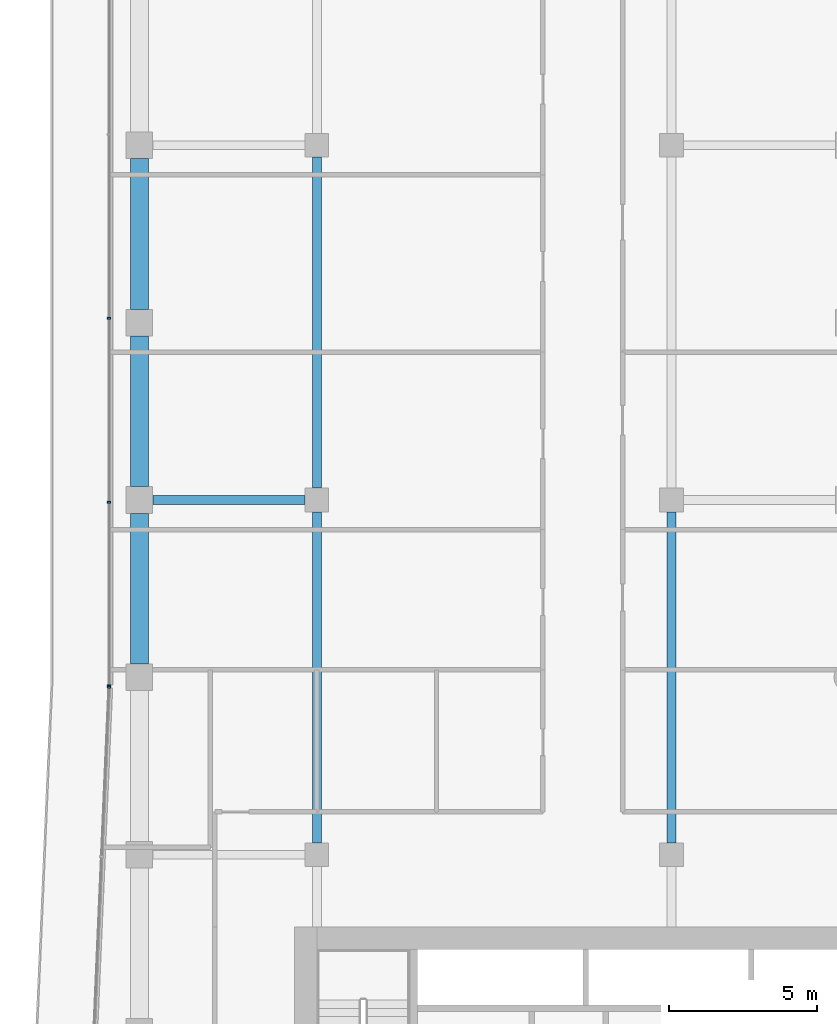
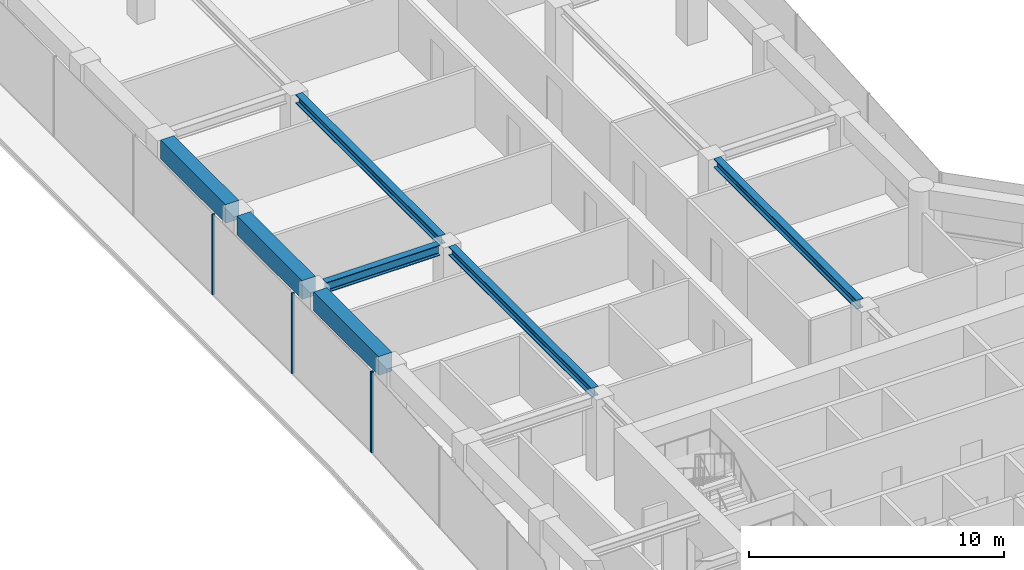
# One storey, part 10 of 25: 7 beams, 4 members, 2 elements without a shape of their own.
"""IFC4 building model written with IfcOpenShell, lengths in metres."""

from ifc_helpers import new_model, si_unit, direction, frame, origin, origin_2d, place, context, subcontext, project, spatial, rectangle, i_section, extrude, material, layer, layer_set, material_profile, profile_set, type_object, element, aggregate, save


model = new_model("IFC4")

# Units and contexts
model_context = context("Model", 3, precision=1e-05, world=origin(), true_north=direction((0.0, 1.0)))
body_context = subcontext(model_context, "Body", "Model", "MODEL_VIEW")
ifc_project = project(units=[si_unit("LENGTHUNIT", "METRE"), si_unit("AREAUNIT", "SQUARE_METRE"), si_unit("VOLUMEUNIT", "CUBIC_METRE"), si_unit("PLANEANGLEUNIT", "RADIAN"), si_unit("MASSUNIT", "GRAM", prefix="KILO")], contexts=[model_context])

# Site, building, storey
site_placement = place(None, origin())
site = spatial("IfcSite", under=ifc_project, at=site_placement, CompositionType="ELEMENT")
building_placement = place(site_placement, origin())
building = spatial("IfcBuilding", under=site, at=building_placement, Name="Welwitschia Terrace Campus", CompositionType="ELEMENT")
storey_placement = place(building_placement, frame((0.0, 0.0, 121.39990234375)))
storey = spatial("IfcBuildingStorey", under=building, at=storey_placement, Name="L27", CompositionType="ELEMENT", Elevation=121.39990234375)

# Beams
ifc_material_1 = material(Name="Steel S355", Category="steel")
ifc_material_profile_1 = material_profile(ifc_material_1, i_section(OverallWidth=0.306884765625, OverallDepth=0.431884765625, WebThickness=0.02099609375, FlangeThickness=0.0400390625, FilletRadius=0.027099609375, at=origin_2d()))
ifc_profile_set_1 = profile_set([ifc_material_profile_1], Name="Steel S355")
beam_type_1 = type_object("IfcBeamType", Name="Interior girder HE 400 M", PredefinedType="BEAM", material=ifc_profile_set_1)
for number, where, z_axis, x_axis, name in (
    (1, (6.0, 28.400390625, 3.634033203125), (0.0, 1.0, 0.0), (-1.0, 0.0, 0.0), "Girder GB3"),
    (2, (6.0, 40.400390625, 3.634033203125), (0.0, 1.0, 0.0), (-1.0, 0.0, 0.0), "Girder GB3"),
    (3, (18.0, 28.400390625, 3.634033203125), (0.0, 1.0, 0.0), (-1.0, 0.0, 0.0), "Girder GB3"),
):
    element("IfcBeam", number, at=place(storey_placement, frame(where, z_axis=z_axis, x_axis=x_axis)), inside=storey, type_object=beam_type_1, Name=name, PredefinedType="BEAM", context=body_context, shape_type="SweptSolid", body=[
        extrude(i_section(OverallWidth=0.306884765625, OverallDepth=0.431884765625, WebThickness=0.02099609375, FlangeThickness=0.0400390625, FilletRadius=0.027099609375, at=origin_2d()), origin(), (0.0, 0.0, 1.0), 11.19921875),
    ])

# Curtain wall, member
ifc_material_2 = material(Name="Bronze anodised aluminium", Category="aluminium")
ifc_layer = layer(ifc_material_2, 0.1201171875)
ifc_layer_set = layer_set([ifc_layer], Name="Bronze anodised aluminium")
curtain_wall_type = type_object("IfcCurtainWallType", Name="Curtain wall CW2 tower 6000", PredefinedType="NOTDEFINED", material=ifc_layer_set)
curtain_wall_1_placement = place(storey_placement, origin())
curtain_wall_1 = element("IfcCurtainWall", 4, at=curtain_wall_1_placement, inside=storey, type_object=curtain_wall_type, Name="CW L27.0.0", PredefinedType="NOTDEFINED")
ifc_material_3 = material(Name="Bronze anodised aluminium", Category="aluminium")
ifc_material_profile_2 = material_profile(ifc_material_3, rectangle(XDim=0.1201171875, YDim=0.06005859375, at=origin_2d()))
ifc_profile_set_2 = profile_set([ifc_material_profile_2], Name="Bronze anodised aluminium")
member_type = type_object("IfcMemberType", Name="Mullion 60x120", PredefinedType="MULLION", material=ifc_profile_set_2)
member_1_placement = place(storey_placement, frame((-1.03125, 33.66748046875, 0.0), z_axis=(0.0, 0.0, 1.0), x_axis=(0.999048221582, -0.043619387365, 0.0)))
member_1 = element("IfcMember", 5, at=member_1_placement, type_object=member_type, Name="Mullion L27.0.0.0", PredefinedType="MULLION", context=body_context, shape_type="SweptSolid", body=[
    extrude(rectangle(XDim=0.1201171875, YDim=0.06005859375, at=origin_2d()), origin(), (0.0, 0.0, 1.0), 3.85009765625),
])
aggregate(curtain_wall_1, [member_1])

# Curtain wall, members
curtain_wall_2_placement = place(storey_placement, origin())
curtain_wall_2 = element("IfcCurtainWall", 6, at=curtain_wall_2_placement, inside=storey, type_object=curtain_wall_type, Name="CW L27.12.0", PredefinedType="NOTDEFINED")
member_2_placement = place(storey_placement, frame((-1.030029296875, 46.14453125, 0.0), z_axis=(0.0, 0.0, 1.0), x_axis=(1.0, 0.0, 0.0)))
member_2 = element("IfcMember", 7, at=member_2_placement, type_object=member_type, Name="Mullion L27.12.0.4", PredefinedType="MULLION", context=body_context, shape_type="SweptSolid", body=[
    extrude(rectangle(XDim=0.1201171875, YDim=0.06005859375, at=origin_2d()), origin(), (0.0, 0.0, 1.0), 3.85009765625),
])
member_3_placement = place(storey_placement, frame((-1.030029296875, 39.921142578125, 0.0), z_axis=(0.0, 0.0, 1.0), x_axis=(1.0, 0.0, 0.0)))
member_3 = element("IfcMember", 8, at=member_3_placement, type_object=member_type, Name="Mullion L27.12.0.5", PredefinedType="MULLION", context=body_context, shape_type="SweptSolid", body=[
    extrude(rectangle(XDim=0.1201171875, YDim=0.06005859375, at=origin_2d()), origin(), (0.0, 0.0, 1.0), 3.85009765625),
])
member_4_placement = place(storey_placement, frame((-1.030029296875, 33.7275390625, 0.0), z_axis=(0.0, 0.0, 1.0), x_axis=(1.0, 0.0, 0.0)))
member_4 = element("IfcMember", 9, at=member_4_placement, type_object=member_type, Name="Mullion L27.12.0.6", PredefinedType="MULLION", context=body_context, shape_type="SweptSolid", body=[
    extrude(rectangle(XDim=0.1201171875, YDim=0.06005859375, at=origin_2d()), origin(), (0.0, 0.0, 1.0), 3.85009765625),
])
aggregate(curtain_wall_2, [member_2, member_3, member_4])

# Beams
ifc_material_4 = material(Name="Steel S355", Category="steel")
ifc_material_profile_3 = material_profile(ifc_material_4, i_section(OverallWidth=0.300048828125, OverallDepth=0.5, WebThickness=0.014404296875, FlangeThickness=0.028076171875, FilletRadius=0.027099609375, at=origin_2d()))
ifc_profile_set_3 = profile_set([ifc_material_profile_3], Name="Steel S355")
beam_type_2 = type_object("IfcBeamType", Name="Primary beam HE 500 B", PredefinedType="BEAM", material=ifc_profile_set_3)
beam_placement = place(storey_placement, frame((0.450439453125, 40.0, 3.60009765625), z_axis=(1.0, 0.0, 0.0), x_axis=(0.0, 1.0, 0.0)))
element("IfcBeam", 10, at=beam_placement, inside=storey, type_object=beam_type_2, Name="Primary beam PB3", PredefinedType="BEAM", context=body_context, shape_type="SweptSolid", body=[
    extrude(i_section(OverallWidth=0.300048828125, OverallDepth=0.5, WebThickness=0.014404296875, FlangeThickness=0.028076171875, FilletRadius=0.027099609375, at=origin_2d()), origin(), (0.0, 0.0, 1.0), 5.149169921875),
])
ifc_material_5 = material(Name="Concrete C60/75", Category="concrete")
ifc_material_profile_4 = material_profile(ifc_material_5, rectangle(XDim=0.60009765625, YDim=0.89990234375, at=origin_2d()))
ifc_profile_set_4 = profile_set([ifc_material_profile_4], Name="Concrete C60/75")
beam_type_3 = type_object("IfcBeamType", Name="Ring spandrel 600x900", PredefinedType="SPANDREL", material=ifc_profile_set_4)
for number, where, z_axis, x_axis, name in (
    (11, (0.0, 51.549560546875, 3.400146484375), (0.0, -1.0, 0.0), (1.0, 0.0, 0.0), "Spandrel SP2"),
    (12, (0.0, 45.549560546875, 3.400146484375), (0.0, -1.0, 0.0), (1.0, 0.0, 0.0), "Spandrel SP2"),
    (13, (0.0, 39.549560546875, 3.400146484375), (0.0, -1.0, 0.0), (1.0, 0.0, 0.0), "Spandrel SP2"),
):
    element("IfcBeam", number, at=place(storey_placement, frame(where, z_axis=z_axis, x_axis=x_axis)), inside=storey, type_object=beam_type_3, Name=name, PredefinedType="SPANDREL", context=body_context, shape_type="SweptSolid", body=[
        extrude(rectangle(XDim=0.60009765625, YDim=0.89990234375, at=origin_2d()), origin(), (0.0, 0.0, 1.0), 5.09912109375),
    ])

save(model, "model.ifc")
